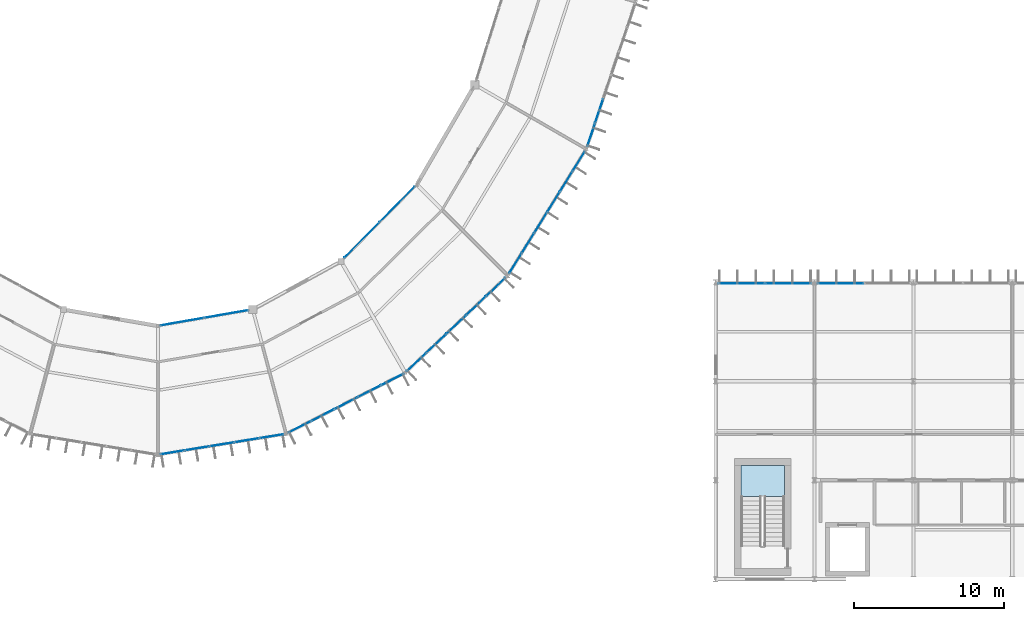
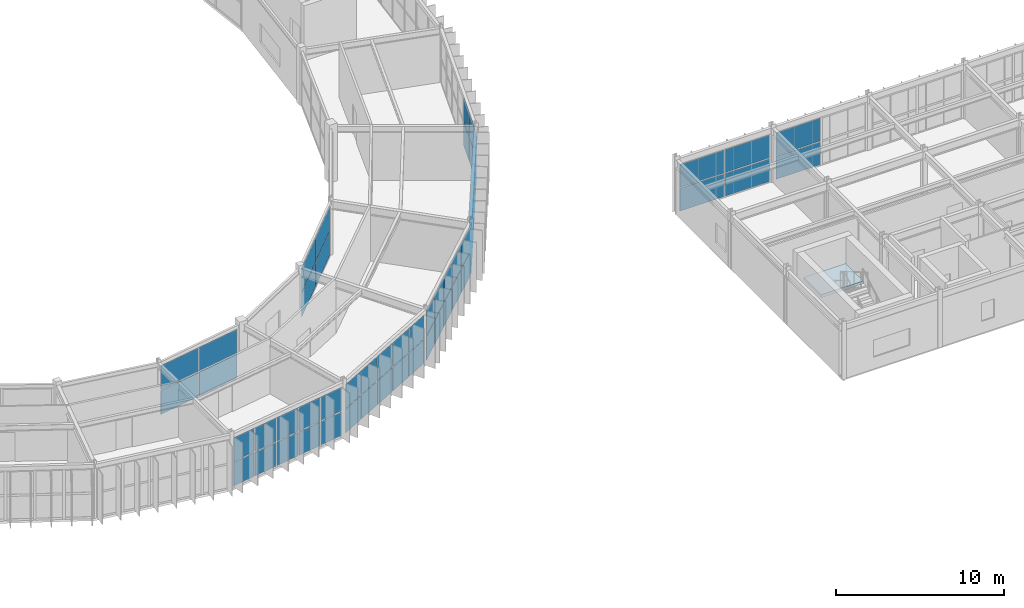
# One storey, part 91 of 130: 60 plates, 1 slab, 10 elements without a shape of their own.
"""IFC4 building model written with IfcOpenShell, lengths in metres."""

from ifc_helpers import new_model, si_unit, direction, frame, origin, origin_2d, place, context, subcontext, project, spatial, polyline, rectangle, outline, extrude, material, layer, layer_set, type_object, element, aggregate, save


model = new_model("IFC4")

# Units and contexts
model_context = context("Model", 3, precision=1e-05, world=origin(), true_north=direction((0.0, 1.0)))
body_context = subcontext(model_context, "Body", "Model", "MODEL_VIEW")
ifc_project = project(units=[si_unit("LENGTHUNIT", "METRE"), si_unit("AREAUNIT", "SQUARE_METRE"), si_unit("VOLUMEUNIT", "CUBIC_METRE"), si_unit("PLANEANGLEUNIT", "RADIAN"), si_unit("MASSUNIT", "GRAM", prefix="KILO")], contexts=[model_context])

# Site, building, storey
site_placement = place(None, origin())
site = spatial("IfcSite", under=ifc_project, at=site_placement, CompositionType="ELEMENT")
building_placement = place(site_placement, origin())
building = spatial("IfcBuilding", under=site, at=building_placement, Name="Karori Crest Natural Sciences Institute", CompositionType="ELEMENT")
storey_placement = place(building_placement, frame((0.0, 0.0, 17.5)))
storey = spatial("IfcBuildingStorey", under=building, at=storey_placement, Name="L04", CompositionType="ELEMENT", Elevation=17.5)

# Curtain wall, plates
ifc_material_1 = material(Name="Anodised architectural aluminium 6063-T6", Category="aluminium")
curtain_wall_type_1 = type_object("IfcCurtainWallType", Name="CWT-09", PredefinedType="NOTDEFINED", material=ifc_material_1)
curtain_wall_1_placement = place(storey_placement, origin())
curtain_wall_1 = element("IfcCurtainWall", 1, at=curtain_wall_1_placement, inside=storey, type_object=curtain_wall_type_1, Name="Curtain wall CW-0163", PredefinedType="NOTDEFINED")
ifc_material_2 = material(Name="Double low-E laminated glass", Category="glass")
ifc_layer_1 = layer(ifc_material_2, 0.02392578125, Name="Double low-E laminated glass")
ifc_layer_set_1 = layer_set([ifc_layer_1], Name="Double low-E laminated glass")
plate_type_1 = type_object("IfcPlateType", Name="CWP-01", PredefinedType="CURTAIN_PANEL", material=ifc_layer_set_1)
plate_1_placement = place(storey_placement, frame((73.970947265625, 10.332275390625, 0.06494140625), z_axis=(0.0, 0.0, 1.0), x_axis=(-0.987011397252, -0.160650246484, 0.0)))
plate_1 = element("IfcPlate", 2, at=plate_1_placement, type_object=plate_type_1, Name="CW-0163 panel 1.1", PredefinedType="CURTAIN_PANEL", context=body_context, shape_type="SweptSolid", body=[
    extrude(rectangle(XDim=1.582275390625, YDim=0.02392578125, at=origin_2d()), origin(), (0.0, 0.0, 1.0), 1.715087890625),
])
plate_2_placement = place(storey_placement, frame((73.970947265625, 10.332275390625, 1.8447265625), z_axis=(0.0, 0.0, 1.0), x_axis=(-0.987011397252, -0.160650246484, 0.0)))
plate_2 = element("IfcPlate", 3, at=plate_2_placement, type_object=plate_type_1, Name="CW-0163 panel 1.2", PredefinedType="CURTAIN_PANEL", context=body_context, shape_type="SweptSolid", body=[
    extrude(rectangle(XDim=1.582275390625, YDim=0.02392578125, at=origin_2d()), origin(), (0.0, 0.0, 1.0), 1.715087890625),
])
plate_3_placement = place(storey_placement, frame((72.328857421875, 10.06494140625, 0.06494140625), z_axis=(0.0, 0.0, 1.0), x_axis=(-0.987011397252, -0.160650246484, 0.0)))
plate_3 = element("IfcPlate", 4, at=plate_3_placement, type_object=plate_type_1, Name="CW-0163 panel 2.1", PredefinedType="CURTAIN_PANEL", context=body_context, shape_type="SweptSolid", body=[
    extrude(rectangle(XDim=1.61474609375, YDim=0.02392578125, at=origin_2d()), origin(), (0.0, 0.0, 1.0), 1.715087890625),
])
plate_4_placement = place(storey_placement, frame((72.328857421875, 10.06494140625, 1.8447265625), z_axis=(0.0, 0.0, 1.0), x_axis=(-0.987011397252, -0.160650246484, 0.0)))
plate_4 = element("IfcPlate", 5, at=plate_4_placement, type_object=plate_type_1, Name="CW-0163 panel 2.2", PredefinedType="CURTAIN_PANEL", context=body_context, shape_type="SweptSolid", body=[
    extrude(rectangle(XDim=1.61474609375, YDim=0.02392578125, at=origin_2d()), origin(), (0.0, 0.0, 1.0), 1.715087890625),
])
plate_5_placement = place(storey_placement, frame((70.6708984375, 9.795166015625, 0.06494140625), z_axis=(0.0, 0.0, 1.0), x_axis=(-0.987011397252, -0.160650246484, 0.0)))
plate_5 = element("IfcPlate", 6, at=plate_5_placement, type_object=plate_type_1, Name="CW-0163 panel 3.1", PredefinedType="CURTAIN_PANEL", context=body_context, shape_type="SweptSolid", body=[
    extrude(rectangle(XDim=1.61474609375, YDim=0.02392578125, at=origin_2d()), origin(), (0.0, 0.0, 1.0), 1.715087890625),
])
plate_6_placement = place(storey_placement, frame((70.6708984375, 9.795166015625, 1.8447265625), z_axis=(0.0, 0.0, 1.0), x_axis=(-0.987011397252, -0.160650246484, 0.0)))
plate_6 = element("IfcPlate", 7, at=plate_6_placement, type_object=plate_type_1, Name="CW-0163 panel 3.2", PredefinedType="CURTAIN_PANEL", context=body_context, shape_type="SweptSolid", body=[
    extrude(rectangle(XDim=1.61474609375, YDim=0.02392578125, at=origin_2d()), origin(), (0.0, 0.0, 1.0), 1.715087890625),
])
plate_7_placement = place(storey_placement, frame((69.012939453125, 9.525390625, 0.06494140625), z_axis=(0.0, 0.0, 1.0), x_axis=(-0.987011397252, -0.160650246484, 0.0)))
plate_7 = element("IfcPlate", 8, at=plate_7_placement, type_object=plate_type_1, Name="CW-0163 panel 4.1", PredefinedType="CURTAIN_PANEL", context=body_context, shape_type="SweptSolid", body=[
    extrude(rectangle(XDim=1.61474609375, YDim=0.02392578125, at=origin_2d()), origin(), (0.0, 0.0, 1.0), 1.715087890625),
])
plate_8_placement = place(storey_placement, frame((69.012939453125, 9.525390625, 1.8447265625), z_axis=(0.0, 0.0, 1.0), x_axis=(-0.987011397252, -0.160650246484, 0.0)))
plate_8 = element("IfcPlate", 9, at=plate_8_placement, type_object=plate_type_1, Name="CW-0163 panel 4.2", PredefinedType="CURTAIN_PANEL", context=body_context, shape_type="SweptSolid", body=[
    extrude(rectangle(XDim=1.61474609375, YDim=0.02392578125, at=origin_2d()), origin(), (0.0, 0.0, 1.0), 1.715087890625),
])
plate_9_placement = place(storey_placement, frame((67.37109375, 9.258056640625, 0.06494140625), z_axis=(0.0, 0.0, 1.0), x_axis=(-0.987011397252, -0.160650246484, 0.0)))
plate_9 = element("IfcPlate", 10, at=plate_9_placement, type_object=plate_type_1, Name="CW-0163 panel 5.1", PredefinedType="CURTAIN_PANEL", context=body_context, shape_type="SweptSolid", body=[
    extrude(rectangle(XDim=1.582275390625, YDim=0.02392578125, at=origin_2d()), origin(), (0.0, 0.0, 1.0), 1.715087890625),
])
plate_10_placement = place(storey_placement, frame((67.37109375, 9.258056640625, 1.8447265625), z_axis=(0.0, 0.0, 1.0), x_axis=(-0.987011397252, -0.160650246484, 0.0)))
plate_10 = element("IfcPlate", 11, at=plate_10_placement, type_object=plate_type_1, Name="CW-0163 panel 5.2", PredefinedType="CURTAIN_PANEL", context=body_context, shape_type="SweptSolid", body=[
    extrude(rectangle(XDim=1.582275390625, YDim=0.02392578125, at=origin_2d()), origin(), (0.0, 0.0, 1.0), 1.715087890625),
])
aggregate(curtain_wall_1, [plate_1, plate_2, plate_3, plate_4, plate_5, plate_6, plate_7, plate_8, plate_9, plate_10])

curtain_wall_type_2 = type_object("IfcCurtainWallType", Name="CWT-14", PredefinedType="NOTDEFINED", material=ifc_material_1)
curtain_wall_2_placement = place(storey_placement, origin())
curtain_wall_2 = element("IfcCurtainWall", 12, at=curtain_wall_2_placement, inside=storey, type_object=curtain_wall_type_2, Name="Curtain wall CW-0164", PredefinedType="NOTDEFINED")
plate_11_placement = place(storey_placement, frame((68.001953125, 17.978271484375, 0.06005859375), z_axis=(0.0, 0.0, 1.0), x_axis=(0.985240827231, 0.171173924291, 0.0)))
plate_11 = element("IfcPlate", 13, at=plate_11_placement, type_object=plate_type_1, Name="CW-0164 panel 1.1", PredefinedType="CURTAIN_PANEL", context=body_context, shape_type="SweptSolid", body=[
    extrude(rectangle(XDim=2.91796875, YDim=0.02392578125, at=origin_2d()), origin(), (0.0, 0.0, 1.0), 1.735107421875),
])
plate_12_placement = place(storey_placement, frame((68.001953125, 17.978271484375, 1.85498046875), z_axis=(0.0, 0.0, 1.0), x_axis=(0.985240827231, 0.171173924291, 0.0)))
plate_12 = element("IfcPlate", 14, at=plate_12_placement, type_object=plate_type_1, Name="CW-0164 panel 1.2", PredefinedType="CURTAIN_PANEL", context=body_context, shape_type="SweptSolid", body=[
    extrude(rectangle(XDim=2.91796875, YDim=0.02392578125, at=origin_2d()), origin(), (0.0, 0.0, 1.0), 1.735107421875),
])
plate_13_placement = place(storey_placement, frame((70.940673828125, 18.489013671875, 0.06005859375), z_axis=(0.0, 0.0, 1.0), x_axis=(0.985240827231, 0.171173924291, 0.0)))
plate_13 = element("IfcPlate", 15, at=plate_13_placement, type_object=plate_type_1, Name="CW-0164 panel 2.1", PredefinedType="CURTAIN_PANEL", context=body_context, shape_type="SweptSolid", body=[
    extrude(rectangle(XDim=2.91796875, YDim=0.02392578125, at=origin_2d()), origin(), (0.0, 0.0, 1.0), 1.735107421875),
])
plate_14_placement = place(storey_placement, frame((70.940673828125, 18.489013671875, 1.85498046875), z_axis=(0.0, 0.0, 1.0), x_axis=(0.985240827231, 0.171173924291, 0.0)))
plate_14 = element("IfcPlate", 16, at=plate_14_placement, type_object=plate_type_1, Name="CW-0164 panel 2.2", PredefinedType="CURTAIN_PANEL", context=body_context, shape_type="SweptSolid", body=[
    extrude(rectangle(XDim=2.91796875, YDim=0.02392578125, at=origin_2d()), origin(), (0.0, 0.0, 1.0), 1.735107421875),
])
aggregate(curtain_wall_2, [plate_11, plate_12, plate_13, plate_14])

curtain_wall_type_3 = type_object("IfcCurtainWallType", Name="CWT-11", PredefinedType="NOTDEFINED", material=ifc_material_1)
curtain_wall_3_placement = place(storey_placement, origin())
curtain_wall_3 = element("IfcCurtainWall", 17, at=curtain_wall_3_placement, inside=storey, type_object=curtain_wall_type_3, Name="Curtain wall CW-0167", PredefinedType="NOTDEFINED")
plate_15_placement = place(storey_placement, frame((79.99658203125, 23.42822265625, 0.06005859375), z_axis=(0.0, 0.0, 1.0), x_axis=(0.702660818381, 0.711524963942, 0.0)))
plate_15 = element("IfcPlate", 18, at=plate_15_placement, type_object=plate_type_1, Name="CW-0167 panel 1.1", PredefinedType="CURTAIN_PANEL", context=body_context, shape_type="SweptSolid", body=[
    extrude(rectangle(XDim=3.286865234375, YDim=0.02392578125, at=origin_2d()), origin(), (0.0, 0.0, 1.0), 1.735107421875),
])
plate_16_placement = place(storey_placement, frame((79.99658203125, 23.42822265625, 1.85498046875), z_axis=(0.0, 0.0, 1.0), x_axis=(0.702660818381, 0.711524963942, 0.0)))
plate_16 = element("IfcPlate", 19, at=plate_16_placement, type_object=plate_type_1, Name="CW-0167 panel 1.2", PredefinedType="CURTAIN_PANEL", context=body_context, shape_type="SweptSolid", body=[
    extrude(rectangle(XDim=3.286865234375, YDim=0.02392578125, at=origin_2d()), origin(), (0.0, 0.0, 1.0), 1.735107421875),
])
plate_17_placement = place(storey_placement, frame((82.351806640625, 25.813232421875, 0.06005859375), z_axis=(0.0, 0.0, 1.0), x_axis=(0.702660818381, 0.711524963942, 0.0)))
plate_17 = element("IfcPlate", 20, at=plate_17_placement, type_object=plate_type_1, Name="CW-0167 panel 2.1", PredefinedType="CURTAIN_PANEL", context=body_context, shape_type="SweptSolid", body=[
    extrude(rectangle(XDim=3.286865234375, YDim=0.02392578125, at=origin_2d()), origin(), (0.0, 0.0, 1.0), 1.735107421875),
])
plate_18_placement = place(storey_placement, frame((82.351806640625, 25.813232421875, 1.85498046875), z_axis=(0.0, 0.0, 1.0), x_axis=(0.702660818381, 0.711524963942, 0.0)))
plate_18 = element("IfcPlate", 21, at=plate_18_placement, type_object=plate_type_1, Name="CW-0167 panel 2.2", PredefinedType="CURTAIN_PANEL", context=body_context, shape_type="SweptSolid", body=[
    extrude(rectangle(XDim=3.286865234375, YDim=0.02392578125, at=origin_2d()), origin(), (0.0, 0.0, 1.0), 1.735107421875),
])
aggregate(curtain_wall_3, [plate_15, plate_16, plate_17, plate_18])

curtain_wall_type_4 = type_object("IfcCurtainWallType", Name="CWT-02", PredefinedType="NOTDEFINED", material=ifc_material_1)
curtain_wall_4_placement = place(storey_placement, origin())
curtain_wall_4 = element("IfcCurtainWall", 22, at=curtain_wall_4_placement, inside=storey, type_object=curtain_wall_type_4, Name="Curtain wall CW-0168", PredefinedType="NOTDEFINED")
plate_19_placement = place(storey_placement, frame((94.468505859375, 28.677978515625, 0.06005859375), z_axis=(0.0, 0.0, 1.0), x_axis=(-0.527323896352, -0.849664350398, 0.0)))
plate_19 = element("IfcPlate", 23, at=plate_19_placement, type_object=plate_type_1, Name="CW-0168 panel 1.1", PredefinedType="CURTAIN_PANEL", context=body_context, shape_type="SweptSolid", body=[
    extrude(rectangle(XDim=1.51025390625, YDim=0.02392578125, at=origin_2d()), origin(), (0.0, 0.0, 1.0), 1.722412109375),
])
plate_20_placement = place(storey_placement, frame((94.468505859375, 28.677978515625, 1.8427734375), z_axis=(0.0, 0.0, 1.0), x_axis=(-0.527323896352, -0.849664350398, 0.0)))
plate_20 = element("IfcPlate", 24, at=plate_20_placement, type_object=plate_type_1, Name="CW-0168 panel 1.2", PredefinedType="CURTAIN_PANEL", context=body_context, shape_type="SweptSolid", body=[
    extrude(rectangle(XDim=1.51025390625, YDim=0.02392578125, at=origin_2d()), origin(), (0.0, 0.0, 1.0), 1.722412109375),
])
plate_21_placement = place(storey_placement, frame((93.62939453125, 27.32568359375, 0.06005859375), z_axis=(0.0, 0.0, 1.0), x_axis=(-0.527323896352, -0.849664350398, 0.0)))
plate_21 = element("IfcPlate", 25, at=plate_21_placement, type_object=plate_type_1, Name="CW-0168 panel 2.1", PredefinedType="CURTAIN_PANEL", context=body_context, shape_type="SweptSolid", body=[
    extrude(rectangle(XDim=1.542724609375, YDim=0.02392578125, at=origin_2d()), origin(), (0.0, 0.0, 1.0), 1.722412109375),
])
plate_22_placement = place(storey_placement, frame((93.62939453125, 27.32568359375, 1.8427734375), z_axis=(0.0, 0.0, 1.0), x_axis=(-0.527323896352, -0.849664350398, 0.0)))
plate_22 = element("IfcPlate", 26, at=plate_22_placement, type_object=plate_type_1, Name="CW-0168 panel 2.2", PredefinedType="CURTAIN_PANEL", context=body_context, shape_type="SweptSolid", body=[
    extrude(rectangle(XDim=1.542724609375, YDim=0.02392578125, at=origin_2d()), origin(), (0.0, 0.0, 1.0), 1.722412109375),
])
plate_23_placement = place(storey_placement, frame((92.781494140625, 25.95947265625, 0.06005859375), z_axis=(0.0, 0.0, 1.0), x_axis=(-0.527323896352, -0.849664350398, 0.0)))
plate_23 = element("IfcPlate", 27, at=plate_23_placement, type_object=plate_type_1, Name="CW-0168 panel 3.1", PredefinedType="CURTAIN_PANEL", context=body_context, shape_type="SweptSolid", body=[
    extrude(rectangle(XDim=1.542724609375, YDim=0.02392578125, at=origin_2d()), origin(), (0.0, 0.0, 1.0), 1.722412109375),
])
plate_24_placement = place(storey_placement, frame((92.781494140625, 25.95947265625, 1.8427734375), z_axis=(0.0, 0.0, 1.0), x_axis=(-0.527323896352, -0.849664350398, 0.0)))
plate_24 = element("IfcPlate", 28, at=plate_24_placement, type_object=plate_type_1, Name="CW-0168 panel 3.2", PredefinedType="CURTAIN_PANEL", context=body_context, shape_type="SweptSolid", body=[
    extrude(rectangle(XDim=1.542724609375, YDim=0.02392578125, at=origin_2d()), origin(), (0.0, 0.0, 1.0), 1.722412109375),
])
plate_25_placement = place(storey_placement, frame((91.93359375, 24.593505859375, 0.06005859375), z_axis=(0.0, 0.0, 1.0), x_axis=(-0.527323896352, -0.849664350398, 0.0)))
plate_25 = element("IfcPlate", 29, at=plate_25_placement, type_object=plate_type_1, Name="CW-0168 panel 4.1", PredefinedType="CURTAIN_PANEL", context=body_context, shape_type="SweptSolid", body=[
    extrude(rectangle(XDim=1.542724609375, YDim=0.02392578125, at=origin_2d()), origin(), (0.0, 0.0, 1.0), 1.722412109375),
])
plate_26_placement = place(storey_placement, frame((91.93359375, 24.593505859375, 1.8427734375), z_axis=(0.0, 0.0, 1.0), x_axis=(-0.527323896352, -0.849664350398, 0.0)))
plate_26 = element("IfcPlate", 30, at=plate_26_placement, type_object=plate_type_1, Name="CW-0168 panel 4.2", PredefinedType="CURTAIN_PANEL", context=body_context, shape_type="SweptSolid", body=[
    extrude(rectangle(XDim=1.542724609375, YDim=0.02392578125, at=origin_2d()), origin(), (0.0, 0.0, 1.0), 1.722412109375),
])
plate_27_placement = place(storey_placement, frame((91.0859375, 23.227294921875, 0.06005859375), z_axis=(0.0, 0.0, 1.0), x_axis=(-0.527323896352, -0.849664350398, 0.0)))
plate_27 = element("IfcPlate", 31, at=plate_27_placement, type_object=plate_type_1, Name="CW-0168 panel 5.1", PredefinedType="CURTAIN_PANEL", context=body_context, shape_type="SweptSolid", body=[
    extrude(rectangle(XDim=1.542724609375, YDim=0.02392578125, at=origin_2d()), origin(), (0.0, 0.0, 1.0), 1.722412109375),
])
plate_28_placement = place(storey_placement, frame((91.0859375, 23.227294921875, 1.8427734375), z_axis=(0.0, 0.0, 1.0), x_axis=(-0.527323896352, -0.849664350398, 0.0)))
plate_28 = element("IfcPlate", 32, at=plate_28_placement, type_object=plate_type_1, Name="CW-0168 panel 5.2", PredefinedType="CURTAIN_PANEL", context=body_context, shape_type="SweptSolid", body=[
    extrude(rectangle(XDim=1.542724609375, YDim=0.02392578125, at=origin_2d()), origin(), (0.0, 0.0, 1.0), 1.722412109375),
])
plate_29_placement = place(storey_placement, frame((90.24658203125, 21.875244140625, 0.06005859375), z_axis=(0.0, 0.0, 1.0), x_axis=(-0.527323896352, -0.849664350398, 0.0)))
plate_29 = element("IfcPlate", 33, at=plate_29_placement, type_object=plate_type_1, Name="CW-0168 panel 6.1", PredefinedType="CURTAIN_PANEL", context=body_context, shape_type="SweptSolid", body=[
    extrude(rectangle(XDim=1.51025390625, YDim=0.02392578125, at=origin_2d()), origin(), (0.0, 0.0, 1.0), 1.722412109375),
])
plate_30_placement = place(storey_placement, frame((90.24658203125, 21.875244140625, 1.8427734375), z_axis=(0.0, 0.0, 1.0), x_axis=(-0.527323896352, -0.849664350398, 0.0)))
plate_30 = element("IfcPlate", 34, at=plate_30_placement, type_object=plate_type_1, Name="CW-0168 panel 6.2", PredefinedType="CURTAIN_PANEL", context=body_context, shape_type="SweptSolid", body=[
    extrude(rectangle(XDim=1.51025390625, YDim=0.02392578125, at=origin_2d()), origin(), (0.0, 0.0, 1.0), 1.722412109375),
])
aggregate(curtain_wall_4, [plate_19, plate_20, plate_21, plate_22, plate_23, plate_24, plate_25, plate_26, plate_27, plate_28, plate_29, plate_30])

curtain_wall_type_5 = type_object("IfcCurtainWallType", Name="CWT-20", PredefinedType="NOTDEFINED", material=ifc_material_1)
curtain_wall_5_placement = place(storey_placement, origin())
curtain_wall_5 = element("IfcCurtainWall", 35, at=curtain_wall_5_placement, inside=storey, type_object=curtain_wall_type_5, Name="Curtain wall CW-0331", PredefinedType="NOTDEFINED")
plate_31_placement = place(storey_placement, frame((105.343017578125, 20.5400390625, 0.06005859375), z_axis=(0.0, 0.0, 1.0), x_axis=(1.0, 0.0, 0.0)))
plate_31 = element("IfcPlate", 36, at=plate_31_placement, type_object=plate_type_1, Name="CW-0331 panel 1.1", PredefinedType="CURTAIN_PANEL", context=body_context, shape_type="SweptSolid", body=[
    extrude(rectangle(XDim=3.049072265625, YDim=0.02392578125, at=origin_2d()), origin(), (0.0, 0.0, 1.0), 1.66259765625),
])
plate_32_placement = place(storey_placement, frame((105.343017578125, 20.5400390625, 1.782470703125), z_axis=(0.0, 0.0, 1.0), x_axis=(1.0, 0.0, 0.0)))
plate_32 = element("IfcPlate", 37, at=plate_32_placement, type_object=plate_type_1, Name="CW-0331 panel 1.2", PredefinedType="CURTAIN_PANEL", context=body_context, shape_type="SweptSolid", body=[
    extrude(rectangle(XDim=3.049072265625, YDim=0.02392578125, at=origin_2d()), origin(), (0.0, 0.0, 1.0), 1.66259765625),
])
plate_33_placement = place(storey_placement, frame((108.45703125, 20.5400390625, 0.06005859375), z_axis=(0.0, 0.0, 1.0), x_axis=(1.0, 0.0, 0.0)))
plate_33 = element("IfcPlate", 38, at=plate_33_placement, type_object=plate_type_1, Name="CW-0331 panel 2.1", PredefinedType="CURTAIN_PANEL", context=body_context, shape_type="SweptSolid", body=[
    extrude(rectangle(XDim=3.049072265625, YDim=0.02392578125, at=origin_2d()), origin(), (0.0, 0.0, 1.0), 1.66259765625),
])
plate_34_placement = place(storey_placement, frame((108.45703125, 20.5400390625, 1.782470703125), z_axis=(0.0, 0.0, 1.0), x_axis=(1.0, 0.0, 0.0)))
plate_34 = element("IfcPlate", 39, at=plate_34_placement, type_object=plate_type_1, Name="CW-0331 panel 2.2", PredefinedType="CURTAIN_PANEL", context=body_context, shape_type="SweptSolid", body=[
    extrude(rectangle(XDim=3.049072265625, YDim=0.02392578125, at=origin_2d()), origin(), (0.0, 0.0, 1.0), 1.66259765625),
])
aggregate(curtain_wall_5, [plate_31, plate_32, plate_33, plate_34])

curtain_wall_6_placement = place(storey_placement, origin())
curtain_wall_6 = element("IfcCurtainWall", 40, at=curtain_wall_6_placement, inside=storey, type_object=curtain_wall_type_5, Name="Curtain wall CW-0332", PredefinedType="NOTDEFINED")
plate_35_placement = place(storey_placement, frame((111.943115234375, 20.5400390625, 0.06005859375), z_axis=(0.0, 0.0, 1.0), x_axis=(1.0, 0.0, 0.0)))
plate_35 = element("IfcPlate", 41, at=plate_35_placement, type_object=plate_type_1, Name="CW-0332 panel 1.1", PredefinedType="CURTAIN_PANEL", context=body_context, shape_type="SweptSolid", body=[
    extrude(rectangle(XDim=3.049072265625, YDim=0.02392578125, at=origin_2d()), origin(), (0.0, 0.0, 1.0), 1.66259765625),
])
plate_36_placement = place(storey_placement, frame((111.943115234375, 20.5400390625, 1.782470703125), z_axis=(0.0, 0.0, 1.0), x_axis=(1.0, 0.0, 0.0)))
plate_36 = element("IfcPlate", 42, at=plate_36_placement, type_object=plate_type_1, Name="CW-0332 panel 1.2", PredefinedType="CURTAIN_PANEL", context=body_context, shape_type="SweptSolid", body=[
    extrude(rectangle(XDim=3.049072265625, YDim=0.02392578125, at=origin_2d()), origin(), (0.0, 0.0, 1.0), 1.66259765625),
])
aggregate(curtain_wall_6, [plate_35, plate_36])

curtain_wall_type_6 = type_object("IfcCurtainWallType", Name="CWT-10", PredefinedType="NOTDEFINED", material=ifc_material_1)
curtain_wall_7_placement = place(storey_placement, origin())
curtain_wall_7 = element("IfcCurtainWall", 43, at=curtain_wall_7_placement, inside=storey, type_object=curtain_wall_type_6, Name="Curtain wall CW-0165", PredefinedType="NOTDEFINED")
ifc_layer_2 = layer(ifc_material_2, 0.033935546875, Name="Double low-E laminated glass")
ifc_layer_set_2 = layer_set([ifc_layer_2], Name="Double low-E laminated glass")
plate_type_2 = type_object("IfcPlateType", Name="CWP-02", PredefinedType="CURTAIN_PANEL", material=ifc_layer_set_2)
plate_37_placement = place(storey_placement, frame((82.034423828125, 14.123046875, 0.06005859375), z_axis=(0.0, 0.0, 1.0), x_axis=(-0.890067432138, -0.455828878252, 0.0)))
plate_37 = element("IfcPlate", 44, at=plate_37_placement, type_object=plate_type_2, Name="CW-0165 panel 1.1", PredefinedType="CURTAIN_PANEL", context=body_context, shape_type="SweptSolid", body=[
    extrude(rectangle(XDim=1.645751953125, YDim=0.033935546875, at=origin_2d()), origin(), (0.0, 0.0, 1.0), 1.722412109375),
])
plate_38_placement = place(storey_placement, frame((82.034423828125, 14.123046875, 1.8427734375), z_axis=(0.0, 0.0, 1.0), x_axis=(-0.890067432138, -0.455828878252, 0.0)))
plate_38 = element("IfcPlate", 45, at=plate_38_placement, type_object=plate_type_2, Name="CW-0165 panel 1.2", PredefinedType="CURTAIN_PANEL", context=body_context, shape_type="SweptSolid", body=[
    extrude(rectangle(XDim=1.645751953125, YDim=0.033935546875, at=origin_2d()), origin(), (0.0, 0.0, 1.0), 1.722412109375),
])
plate_39_placement = place(storey_placement, frame((80.497314453125, 13.335693359375, 0.06005859375), z_axis=(0.0, 0.0, 1.0), x_axis=(-0.890067432138, -0.455828878252, 0.0)))
plate_39 = element("IfcPlate", 46, at=plate_39_placement, type_object=plate_type_2, Name="CW-0165 panel 2.1", PredefinedType="CURTAIN_PANEL", context=body_context, shape_type="SweptSolid", body=[
    extrude(rectangle(XDim=1.678466796875, YDim=0.033935546875, at=origin_2d()), origin(), (0.0, 0.0, 1.0), 1.722412109375),
])
plate_40_placement = place(storey_placement, frame((80.497314453125, 13.335693359375, 1.8427734375), z_axis=(0.0, 0.0, 1.0), x_axis=(-0.890067432138, -0.455828878252, 0.0)))
plate_40 = element("IfcPlate", 47, at=plate_40_placement, type_object=plate_type_2, Name="CW-0165 panel 2.2", PredefinedType="CURTAIN_PANEL", context=body_context, shape_type="SweptSolid", body=[
    extrude(rectangle(XDim=1.678466796875, YDim=0.033935546875, at=origin_2d()), origin(), (0.0, 0.0, 1.0), 1.722412109375),
])
plate_41_placement = place(storey_placement, frame((78.945556640625, 12.541015625, 0.06005859375), z_axis=(0.0, 0.0, 1.0), x_axis=(-0.890067432138, -0.455828878252, 0.0)))
plate_41 = element("IfcPlate", 48, at=plate_41_placement, type_object=plate_type_2, Name="CW-0165 panel 3.1", PredefinedType="CURTAIN_PANEL", context=body_context, shape_type="SweptSolid", body=[
    extrude(rectangle(XDim=1.678466796875, YDim=0.033935546875, at=origin_2d()), origin(), (0.0, 0.0, 1.0), 1.722412109375),
])
plate_42_placement = place(storey_placement, frame((78.945556640625, 12.541015625, 1.8427734375), z_axis=(0.0, 0.0, 1.0), x_axis=(-0.890067432138, -0.455828878252, 0.0)))
plate_42 = element("IfcPlate", 49, at=plate_42_placement, type_object=plate_type_2, Name="CW-0165 panel 3.2", PredefinedType="CURTAIN_PANEL", context=body_context, shape_type="SweptSolid", body=[
    extrude(rectangle(XDim=1.678466796875, YDim=0.033935546875, at=origin_2d()), origin(), (0.0, 0.0, 1.0), 1.722412109375),
])
plate_43_placement = place(storey_placement, frame((77.393798828125, 11.746337890625, 0.06005859375), z_axis=(0.0, 0.0, 1.0), x_axis=(-0.890067432138, -0.455828878252, 0.0)))
plate_43 = element("IfcPlate", 50, at=plate_43_placement, type_object=plate_type_2, Name="CW-0165 panel 4.1", PredefinedType="CURTAIN_PANEL", context=body_context, shape_type="SweptSolid", body=[
    extrude(rectangle(XDim=1.678466796875, YDim=0.033935546875, at=origin_2d()), origin(), (0.0, 0.0, 1.0), 1.722412109375),
])
plate_44_placement = place(storey_placement, frame((77.393798828125, 11.746337890625, 1.8427734375), z_axis=(0.0, 0.0, 1.0), x_axis=(-0.890067432138, -0.455828878252, 0.0)))
plate_44 = element("IfcPlate", 51, at=plate_44_placement, type_object=plate_type_2, Name="CW-0165 panel 4.2", PredefinedType="CURTAIN_PANEL", context=body_context, shape_type="SweptSolid", body=[
    extrude(rectangle(XDim=1.678466796875, YDim=0.033935546875, at=origin_2d()), origin(), (0.0, 0.0, 1.0), 1.722412109375),
])
plate_45_placement = place(storey_placement, frame((75.8564453125, 10.958984375, 0.06005859375), z_axis=(0.0, 0.0, 1.0), x_axis=(-0.890067432138, -0.455828878252, 0.0)))
plate_45 = element("IfcPlate", 52, at=plate_45_placement, type_object=plate_type_2, Name="CW-0165 panel 5.1", PredefinedType="CURTAIN_PANEL", context=body_context, shape_type="SweptSolid", body=[
    extrude(rectangle(XDim=1.645751953125, YDim=0.033935546875, at=origin_2d()), origin(), (0.0, 0.0, 1.0), 1.722412109375),
])
plate_46_placement = place(storey_placement, frame((75.8564453125, 10.958984375, 1.8427734375), z_axis=(0.0, 0.0, 1.0), x_axis=(-0.890067432138, -0.455828878252, 0.0)))
plate_46 = element("IfcPlate", 53, at=plate_46_placement, type_object=plate_type_2, Name="CW-0165 panel 5.2", PredefinedType="CURTAIN_PANEL", context=body_context, shape_type="SweptSolid", body=[
    extrude(rectangle(XDim=1.645751953125, YDim=0.033935546875, at=origin_2d()), origin(), (0.0, 0.0, 1.0), 1.722412109375),
])
aggregate(curtain_wall_7, [plate_37, plate_38, plate_39, plate_40, plate_41, plate_42, plate_43, plate_44, plate_45, plate_46])

curtain_wall_type_7 = type_object("IfcCurtainWallType", Name="CWT-03", PredefinedType="NOTDEFINED", material=ifc_material_1)
curtain_wall_8_placement = place(storey_placement, origin())
curtain_wall_8 = element("IfcCurtainWall", 54, at=curtain_wall_8_placement, inside=storey, type_object=curtain_wall_type_7, Name="Curtain wall CW-0169", PredefinedType="NOTDEFINED")
plate_47_placement = place(storey_placement, frame((95.827880859375, 32.0341796875, 0.06494140625), z_axis=(0.0, 0.0, 1.0), x_axis=(-0.317679803392, -0.94819805026, 0.0)))
plate_47 = element("IfcPlate", 55, at=plate_47_placement, type_object=plate_type_2, Name="CW-0169 panel 5.1", PredefinedType="CURTAIN_PANEL", context=body_context, shape_type="SweptSolid", body=[
    extrude(rectangle(XDim=1.628662109375, YDim=0.033935546875, at=origin_2d()), origin(), (0.0, 0.0, 1.0), 1.715087890625),
])
plate_48_placement = place(storey_placement, frame((95.827880859375, 32.0341796875, 1.8447265625), z_axis=(0.0, 0.0, 1.0), x_axis=(-0.317679803392, -0.94819805026, 0.0)))
plate_48 = element("IfcPlate", 56, at=plate_48_placement, type_object=plate_type_2, Name="CW-0169 panel 5.2", PredefinedType="CURTAIN_PANEL", context=body_context, shape_type="SweptSolid", body=[
    extrude(rectangle(XDim=1.628662109375, YDim=0.033935546875, at=origin_2d()), origin(), (0.0, 0.0, 1.0), 1.715087890625),
])
plate_49_placement = place(storey_placement, frame((95.294921875, 30.443603515625, 0.06494140625), z_axis=(0.0, 0.0, 1.0), x_axis=(-0.317679803392, -0.94819805026, 0.0)))
plate_49 = element("IfcPlate", 57, at=plate_49_placement, type_object=plate_type_2, Name="CW-0169 panel 6.1", PredefinedType="CURTAIN_PANEL", context=body_context, shape_type="SweptSolid", body=[
    extrude(rectangle(XDim=1.59619140625, YDim=0.033935546875, at=origin_2d()), origin(), (0.0, 0.0, 1.0), 1.715087890625),
])
plate_50_placement = place(storey_placement, frame((95.294921875, 30.443603515625, 1.8447265625), z_axis=(0.0, 0.0, 1.0), x_axis=(-0.317679803392, -0.94819805026, 0.0)))
plate_50 = element("IfcPlate", 58, at=plate_50_placement, type_object=plate_type_2, Name="CW-0169 panel 6.2", PredefinedType="CURTAIN_PANEL", context=body_context, shape_type="SweptSolid", body=[
    extrude(rectangle(XDim=1.59619140625, YDim=0.033935546875, at=origin_2d()), origin(), (0.0, 0.0, 1.0), 1.715087890625),
])
aggregate(curtain_wall_8, [plate_47, plate_48, plate_49, plate_50])

curtain_wall_type_8 = type_object("IfcCurtainWallType", Name="CWT-01", PredefinedType="NOTDEFINED", material=ifc_material_1)
curtain_wall_9_placement = place(storey_placement, origin())
curtain_wall_9 = element("IfcCurtainWall", 59, at=curtain_wall_9_placement, inside=storey, type_object=curtain_wall_type_8, Name="Curtain wall CW-0166", PredefinedType="NOTDEFINED")
ifc_layer_3 = layer(ifc_material_2, 0.0439453125, Name="Double low-E laminated glass")
ifc_layer_set_3 = layer_set([ifc_layer_3], Name="Double low-E laminated glass")
plate_type_3 = type_object("IfcPlateType", Name="CWP-03", PredefinedType="CURTAIN_PANEL", material=ifc_layer_set_3)
plate_51_placement = place(storey_placement, frame((88.932861328125, 20.28955078125, 0.06494140625), z_axis=(0.0, 0.0, 1.0), x_axis=(-0.725473081026, -0.688250542104, 0.0)))
plate_51 = element("IfcPlate", 60, at=plate_51_placement, type_object=plate_type_3, Name="CW-0166 panel 1.1", PredefinedType="CURTAIN_PANEL", context=body_context, shape_type="SweptSolid", body=[
    extrude(rectangle(XDim=1.73095703125, YDim=0.0439453125, at=origin_2d()), origin(), (0.0, 0.0, 1.0), 1.715087890625),
])
plate_52_placement = place(storey_placement, frame((88.932861328125, 20.28955078125, 1.8447265625), z_axis=(0.0, 0.0, 1.0), x_axis=(-0.725473081026, -0.688250542104, 0.0)))
plate_52 = element("IfcPlate", 61, at=plate_52_placement, type_object=plate_type_3, Name="CW-0166 panel 1.2", PredefinedType="CURTAIN_PANEL", context=body_context, shape_type="SweptSolid", body=[
    extrude(rectangle(XDim=1.73095703125, YDim=0.0439453125, at=origin_2d()), origin(), (0.0, 0.0, 1.0), 1.715087890625),
])
plate_53_placement = place(storey_placement, frame((87.6181640625, 19.042236328125, 0.06494140625), z_axis=(0.0, 0.0, 1.0), x_axis=(-0.725473081026, -0.688250542104, 0.0)))
plate_53 = element("IfcPlate", 62, at=plate_53_placement, type_object=plate_type_3, Name="CW-0166 panel 2.1", PredefinedType="CURTAIN_PANEL", context=body_context, shape_type="SweptSolid", body=[
    extrude(rectangle(XDim=1.763427734375, YDim=0.0439453125, at=origin_2d()), origin(), (0.0, 0.0, 1.0), 1.715087890625),
])
plate_54_placement = place(storey_placement, frame((87.6181640625, 19.042236328125, 1.8447265625), z_axis=(0.0, 0.0, 1.0), x_axis=(-0.725473081026, -0.688250542104, 0.0)))
plate_54 = element("IfcPlate", 63, at=plate_54_placement, type_object=plate_type_3, Name="CW-0166 panel 2.2", PredefinedType="CURTAIN_PANEL", context=body_context, shape_type="SweptSolid", body=[
    extrude(rectangle(XDim=1.763427734375, YDim=0.0439453125, at=origin_2d()), origin(), (0.0, 0.0, 1.0), 1.715087890625),
])
plate_55_placement = place(storey_placement, frame((86.291748046875, 17.783935546875, 0.06494140625), z_axis=(0.0, 0.0, 1.0), x_axis=(-0.725473081026, -0.688250542104, 0.0)))
plate_55 = element("IfcPlate", 64, at=plate_55_placement, type_object=plate_type_3, Name="CW-0166 panel 3.1", PredefinedType="CURTAIN_PANEL", context=body_context, shape_type="SweptSolid", body=[
    extrude(rectangle(XDim=1.763427734375, YDim=0.0439453125, at=origin_2d()), origin(), (0.0, 0.0, 1.0), 1.715087890625),
])
plate_56_placement = place(storey_placement, frame((86.291748046875, 17.783935546875, 1.8447265625), z_axis=(0.0, 0.0, 1.0), x_axis=(-0.725473081026, -0.688250542104, 0.0)))
plate_56 = element("IfcPlate", 65, at=plate_56_placement, type_object=plate_type_3, Name="CW-0166 panel 3.2", PredefinedType="CURTAIN_PANEL", context=body_context, shape_type="SweptSolid", body=[
    extrude(rectangle(XDim=1.763427734375, YDim=0.0439453125, at=origin_2d()), origin(), (0.0, 0.0, 1.0), 1.715087890625),
])
plate_57_placement = place(storey_placement, frame((84.96533203125, 16.525390625, 0.06494140625), z_axis=(0.0, 0.0, 1.0), x_axis=(-0.725473081026, -0.688250542104, 0.0)))
plate_57 = element("IfcPlate", 66, at=plate_57_placement, type_object=plate_type_3, Name="CW-0166 panel 4.1", PredefinedType="CURTAIN_PANEL", context=body_context, shape_type="SweptSolid", body=[
    extrude(rectangle(XDim=1.763427734375, YDim=0.0439453125, at=origin_2d()), origin(), (0.0, 0.0, 1.0), 1.715087890625),
])
plate_58_placement = place(storey_placement, frame((84.96533203125, 16.525390625, 1.8447265625), z_axis=(0.0, 0.0, 1.0), x_axis=(-0.725473081026, -0.688250542104, 0.0)))
plate_58 = element("IfcPlate", 67, at=plate_58_placement, type_object=plate_type_3, Name="CW-0166 panel 4.2", PredefinedType="CURTAIN_PANEL", context=body_context, shape_type="SweptSolid", body=[
    extrude(rectangle(XDim=1.763427734375, YDim=0.0439453125, at=origin_2d()), origin(), (0.0, 0.0, 1.0), 1.715087890625),
])
plate_59_placement = place(storey_placement, frame((83.650634765625, 15.2783203125, 0.06494140625), z_axis=(0.0, 0.0, 1.0), x_axis=(-0.725473081026, -0.688250542104, 0.0)))
plate_59 = element("IfcPlate", 68, at=plate_59_placement, type_object=plate_type_3, Name="CW-0166 panel 5.1", PredefinedType="CURTAIN_PANEL", context=body_context, shape_type="SweptSolid", body=[
    extrude(rectangle(XDim=1.73095703125, YDim=0.0439453125, at=origin_2d()), origin(), (0.0, 0.0, 1.0), 1.715087890625),
])
plate_60_placement = place(storey_placement, frame((83.650634765625, 15.2783203125, 1.8447265625), z_axis=(0.0, 0.0, 1.0), x_axis=(-0.725473081026, -0.688250542104, 0.0)))
plate_60 = element("IfcPlate", 69, at=plate_60_placement, type_object=plate_type_3, Name="CW-0166 panel 5.2", PredefinedType="CURTAIN_PANEL", context=body_context, shape_type="SweptSolid", body=[
    extrude(rectangle(XDim=1.73095703125, YDim=0.0439453125, at=origin_2d()), origin(), (0.0, 0.0, 1.0), 1.715087890625),
])
aggregate(curtain_wall_9, [plate_51, plate_52, plate_53, plate_54, plate_55, plate_56, plate_57, plate_58, plate_59, plate_60])

# Stair, slab
ifc_material_3 = material(Name="Concrete 40 MPa", Category="concrete")
stair_type = type_object("IfcStairType", Name="STT-01", PredefinedType="HALF_TURN_STAIR", material=ifc_material_3)
stair_placement = place(storey_placement, origin())
stair = element("IfcStair", 70, at=stair_placement, inside=storey, type_object=stair_type, Name="Protected stair ST-03-L04", PredefinedType="HALF_TURN_STAIR")
ifc_layer_4 = layer(ifc_material_3, 0.2099609375, Name="Concrete 40 MPa")
ifc_layer_set_4 = layer_set([ifc_layer_4], Name="Concrete 40 MPa")
slab_type = type_object("IfcSlabType", Name="SLT-11", PredefinedType="LANDING", material=ifc_layer_set_4)
slab_placement = place(storey_placement, frame((0.0, 0.0, 1.889892578125)))
slab = element("IfcSlab", 71, at=slab_placement, type_object=slab_type, Name="ST-03-L04 landing 1", PredefinedType="LANDING", context=body_context, shape_type="SweptSolid", body=[
    extrude(outline(polyline([(108.199951171875, 6.300048828125), (108.199951171875, 8.39990234375), (105.300048828125, 8.39990234375), (105.300048828125, 6.300048828125), (108.199951171875, 6.300048828125)])), origin(), (0.0, 0.0, 1.0), 0.210205078125),
])
aggregate(stair, [slab])

save(model, "model.ifc")
